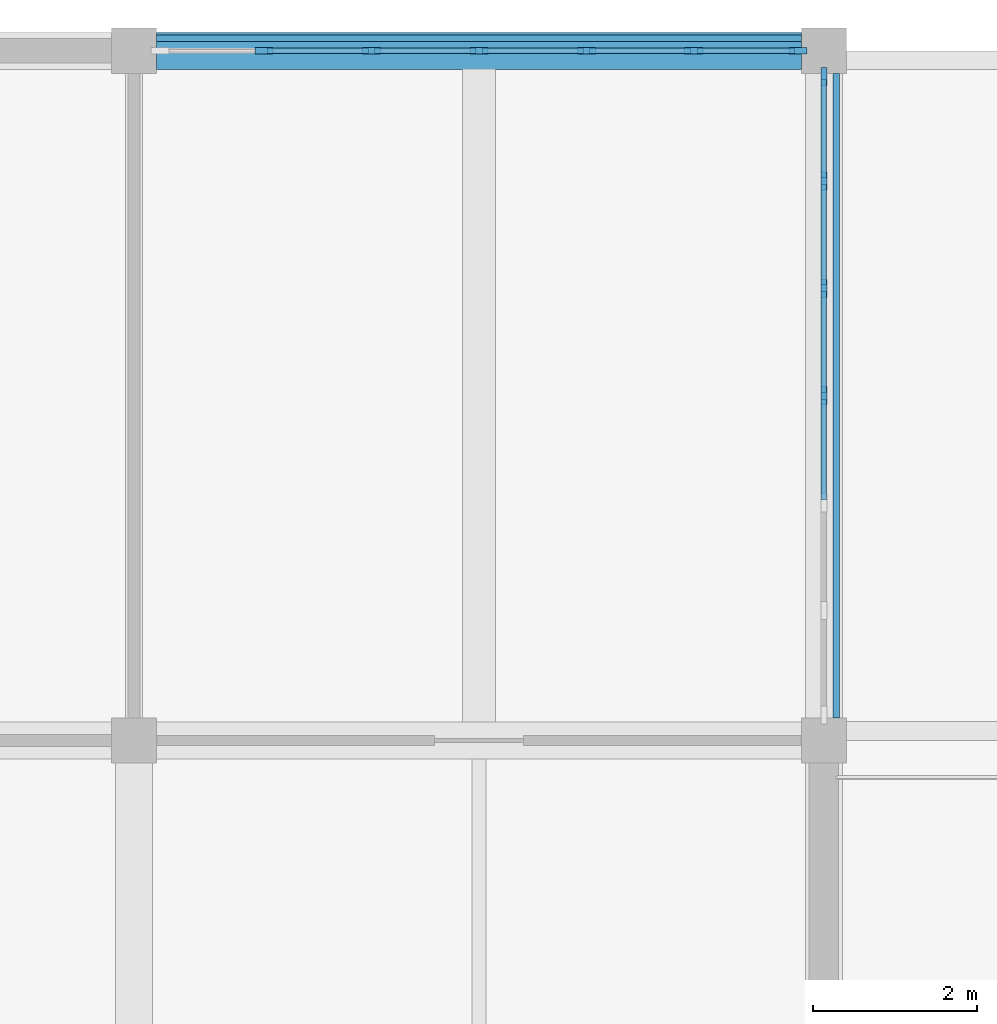
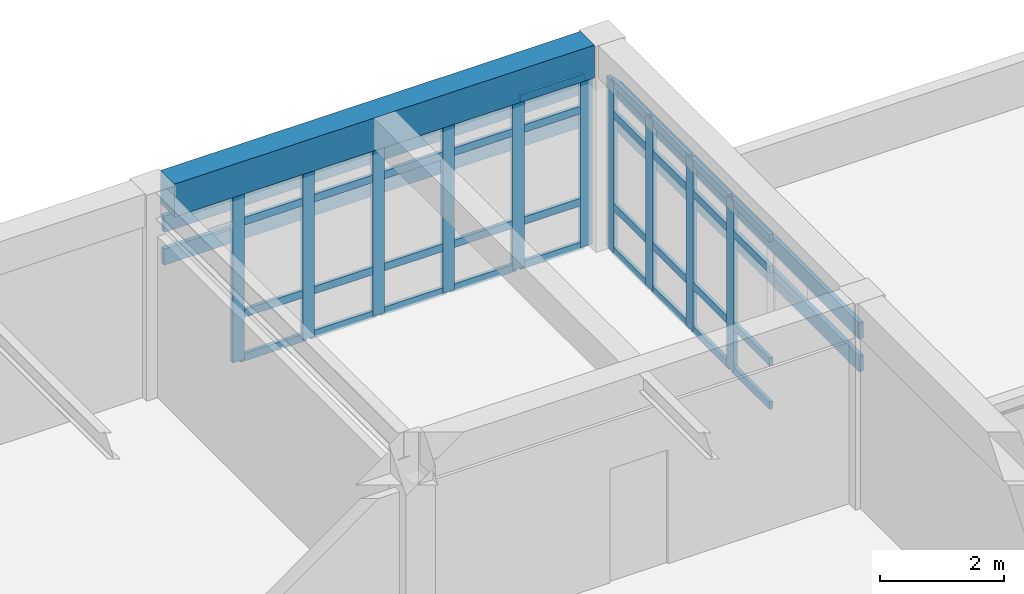
# One storey, part 46 of 74: 50 members, 1 beam, 2 elements without a shape of their own.
"""IFC4 building model written with IfcOpenShell, lengths in metres."""

import ifcopenshell
import ifcopenshell.guid

model = None  # the IFC model being written
_history = None  # IfcOwnerHistory: only IFC2X3 demands one
_inside = {}  # id of a spatial element -> (the spatial element, [elements in it])
_under = {}  # id of a project, library or spatial element -> (it, [spatial elements below it])
_declared = {}  # id of a project -> (the project, [libraries it declares])
_typed = {}  # id of a type object -> (the type object, [elements of that type])
_made_of = {}  # id of a material, layer set ... -> (it, [elements and type objects made of it])


def new_model(schema):
    """Start an empty IFC model of exactly this schema.

    Asked for "IFC4X3", IfcOpenShell would pick the latest addendum, in which some entities
    have other attributes; the version numbers below select the first issue.
    IFC2X3 requires an IfcOwnerHistory on every rooted entity: one is made here for all.
    """
    global model, _history
    if schema == "IFC4X3":
        model = ifcopenshell.file(schema_version=(4, 3, 0, 0))
    else:
        model = ifcopenshell.file(schema=schema)
    _inside.clear()
    _under.clear()
    _declared.clear()
    _typed.clear()
    _made_of.clear()
    _history = None
    if model.schema == "IFC2X3":
        org = make("IfcOrganization", Name="unknown")
        user = make(
            "IfcPersonAndOrganization",
            ThePerson=make("IfcPerson", FamilyName="unknown"),
            TheOrganization=org,
        )
        app = make(
            "IfcApplication",
            ApplicationDeveloper=org,
            Version="unknown",
            ApplicationFullName="unknown",
            ApplicationIdentifier="unknown",
        )
        _history = make(
            "IfcOwnerHistory",
            OwningUser=user,
            OwningApplication=app,
            ChangeAction="ADDED",
            CreationDate=0,
        )
    return model


def make(cls, **values):
    """One entity of the class cls with the attributes given. An attribute that is None is left unset."""
    return model.create_entity(
        cls, **{name: value for name, value in values.items() if value is not None}
    )


def rooted(cls, **values):
    """An entity with a GlobalId (a new one), such as an element, a storey or a relation."""
    return make(cls, GlobalId=ifcopenshell.guid.new(), OwnerHistory=_history, **values)


def si_unit(unit_type, name, prefix=None):
    """IfcSIUnit, for example si_unit("LENGTHUNIT", "METRE", prefix="MILLI")."""
    return make("IfcSIUnit", UnitType=unit_type, Prefix=prefix, Name=name)


def assignment(units):
    """IfcUnitAssignment: the units of a project."""
    return None if units is None else make("IfcUnitAssignment", Units=units)


def point(xyz):
    """IfcCartesianPoint."""
    return None if xyz is None else make("IfcCartesianPoint", Coordinates=xyz)


def direction(xyz):
    """IfcDirection."""
    return None if xyz is None else make("IfcDirection", DirectionRatios=xyz)


def frame(location, z_axis=None, x_axis=None):
    """IfcAxis2Placement3D, a coordinate frame: its origin and axes. An axis left out is left unset."""
    return make(
        "IfcAxis2Placement3D",
        Location=point(location),
        Axis=direction(z_axis),
        RefDirection=direction(x_axis),
    )


def frame_2d(location, x_axis=None):
    """IfcAxis2Placement2D, a coordinate frame in the plane: its origin and x axis."""
    return make(
        "IfcAxis2Placement2D", Location=point(location), RefDirection=direction(x_axis)
    )


def origin():
    """The frame at (0, 0, 0) with its axes left unset."""
    return frame((0.0, 0.0, 0.0))


def origin_2d():
    """The frame at (0, 0) in the plane with its x axis left unset."""
    return frame_2d((0.0, 0.0))


def place(relative_to, where):
    """IfcLocalPlacement: puts the frame where relative to a parent placement (None: the world)."""
    return make(
        "IfcLocalPlacement", PlacementRelTo=relative_to, RelativePlacement=where
    )


def context(
    kind, dimensions, precision=None, world=None, true_north=None, identifier=None
):
    """IfcGeometricRepresentationContext, for example the 3D "Model" context."""
    return make(
        "IfcGeometricRepresentationContext",
        ContextIdentifier=identifier,
        ContextType=kind,
        CoordinateSpaceDimension=dimensions,
        Precision=precision,
        WorldCoordinateSystem=world,
        TrueNorth=true_north,
    )


def subcontext(parent, identifier, kind, view, scale=None):
    """IfcGeometricRepresentationSubContext, for example "Body" below "Model"."""
    return make(
        "IfcGeometricRepresentationSubContext",
        ContextIdentifier=identifier,
        ContextType=kind,
        ParentContext=parent,
        TargetScale=scale,
        TargetView=view,
    )


def project(units=None, contexts=None):
    """IfcProject with its units and contexts."""
    return rooted(
        "IfcProject",
        Name="project",
        RepresentationContexts=contexts,
        UnitsInContext=assignment(units),
    )


def spatial(cls, under=None, at=None, **own):
    """A site, building, storey or space (cls), placed at a placement, below another one or the project."""
    s = rooted(cls, ObjectPlacement=at, **own)
    if under is not None:
        _under.setdefault(under.id(), (under, []))[1].append(s)
    return s


def profile(cls, at=None, kind="AREA", **sizes):
    """A parametric profile (cls). Its sizes go by their IFC names, for example OverallWidth=200.0."""
    return make(cls, ProfileType=kind, Position=at, **sizes)


def rectangle(**sizes):
    """IfcRectangleProfileDef."""
    return profile("IfcRectangleProfileDef", **sizes)


def extrude(swept, where, along, depth):
    """IfcExtrudedAreaSolid: the profile swept, set in the frame where, extruded along a direction by depth."""
    return make(
        "IfcExtrudedAreaSolid",
        SweptArea=swept,
        Position=where,
        ExtrudedDirection=direction(along),
        Depth=depth,
    )


def shape(context_of_items, identifier, shape_type, items):
    """IfcShapeRepresentation: the items that make up one representation, for example the "Body"."""
    return make(
        "IfcShapeRepresentation",
        ContextOfItems=context_of_items,
        RepresentationIdentifier=identifier,
        RepresentationType=shape_type,
        Items=items,
    )


def material(Name=None, Category=None):
    """IfcMaterial."""
    return make("IfcMaterial", Name=Name, Category=Category)


def layer(
    of_material, thickness, ventilated=None, Name=None, Category=None, Priority=None
):
    """IfcMaterialLayer: one layer of a wall or slab, of a material (None: an air gap)."""
    return make(
        "IfcMaterialLayer",
        Material=of_material,
        LayerThickness=thickness,
        IsVentilated=ventilated,
        Name=Name,
        Category=Category,
        Priority=Priority,
    )


def layer_set(layers, Name=None):
    """IfcMaterialLayerSet."""
    return make("IfcMaterialLayerSet", MaterialLayers=layers, LayerSetName=Name)


def material_profile(
    of_material, cross_section, Name=None, Category=None, Priority=None
):
    """IfcMaterialProfile: a cross section and its material."""
    return make(
        "IfcMaterialProfile",
        Name=Name,
        Material=of_material,
        Profile=cross_section,
        Priority=Priority,
        Category=Category,
    )


def profile_set(profiles, Name=None, composite=None):
    """IfcMaterialProfileSet."""
    return make(
        "IfcMaterialProfileSet",
        Name=Name,
        MaterialProfiles=profiles,
        CompositeProfile=composite,
    )


def made_of(thing, what):
    """Note that an element or type object is made of a material, layer set ...; save() writes the relation."""
    if what is not None:
        _made_of.setdefault(what.id(), (what, []))[1].append(thing)
    return thing


def type_object(cls, material=None, **own):
    """A type object (cls), such as IfcWallType, which elements share."""
    return made_of(rooted(cls, **own), material)


def element(
    cls,
    number,
    at=None,
    inside=None,
    cuts=None,
    type_object=None,
    material=None,
    context=None,
    identifier="Body",
    shape_type=None,
    held_by="IfcProductDefinitionShape",
    body=None,
    shapes=None,
    **own,
):
    """One element of the class cls, such as IfcWall. Its Tag is "e" and its number.

    at: its placement. inside: the storey or other place that contains it. cuts: it is an
    opening in that element (IfcRelVoidsElement). A single representation is given by context,
    identifier, shape_type and body (its items); several are given by shapes. held_by: the class
    of the entity that holds the representations. save() writes the other relations.
    """
    e = rooted(cls, Tag="e%d" % number, ObjectPlacement=at, **own)
    if body is not None:
        shapes = [shape(context, identifier, shape_type, body)]
    if shapes is not None:
        e.Representation = make(held_by, Representations=shapes)
    if inside is not None:
        _inside.setdefault(inside.id(), (inside, []))[1].append(e)
    if cuts is not None:
        rooted(
            "IfcRelVoidsElement", RelatingBuildingElement=cuts, RelatedOpeningElement=e
        )
    if type_object is not None:
        _typed.setdefault(type_object.id(), (type_object, []))[1].append(e)
    return made_of(e, material)


def aggregate(whole, parts):
    """IfcRelAggregates: a whole, such as a stair, and the parts it consists of."""
    return rooted("IfcRelAggregates", RelatingObject=whole, RelatedObjects=parts)


def save(model, path):
    """Write the relations noted so far, then the file.

    IfcRelAggregates (storeys below a building ...), IfcRelContainedInSpatialStructure (elements
    in a storey), IfcRelDefinesByType, IfcRelAssociatesMaterial and IfcRelDeclares: one each for
    every whole, place, type object, material and project.
    """
    for whole, parts in _under.values():
        aggregate(whole, parts)
    for where, things in _inside.values():
        rooted(
            "IfcRelContainedInSpatialStructure",
            RelatedElements=things,
            RelatingStructure=where,
        )
    for kind, things in _typed.values():
        rooted("IfcRelDefinesByType", RelatedObjects=things, RelatingType=kind)
    for what, things in _made_of.values():
        rooted("IfcRelAssociatesMaterial", RelatedObjects=things, RelatingMaterial=what)
    for by, libraries in _declared.values():
        rooted("IfcRelDeclares", RelatingContext=by, RelatedDefinitions=libraries)
    model.write(path)


model = new_model("IFC4")

# Units and contexts
model_context = context("Model", 3, precision=1e-05, world=origin(), true_north=direction((0.0, 1.0)))
body_context = subcontext(model_context, "Body", "Model", "MODEL_VIEW")
ifc_project = project(units=[si_unit("LENGTHUNIT", "METRE"), si_unit("AREAUNIT", "SQUARE_METRE"), si_unit("VOLUMEUNIT", "CUBIC_METRE"), si_unit("PLANEANGLEUNIT", "RADIAN"), si_unit("MASSUNIT", "GRAM", prefix="KILO")], contexts=[model_context])

# Site, building, storey
site_placement = place(None, origin())
site = spatial("IfcSite", under=ifc_project, at=site_placement, CompositionType="ELEMENT")
building_placement = place(site_placement, origin())
building = spatial("IfcBuilding", under=site, at=building_placement, Name="Porcellanite Civic Hall", CompositionType="ELEMENT")
storey_placement = place(building_placement, frame((0.0, 0.0, 14.760009765625)))
storey = spatial("IfcBuildingStorey", under=building, at=storey_placement, Name="L03", CompositionType="ELEMENT", Elevation=14.760009765625)

# Beam
ifc_material_1 = material(Name="Concrete N50 (50 MPa)", Category="concrete")
ifc_material_profile_1 = material_profile(ifc_material_1, rectangle(XDim=0.449951171875, YDim=0.64990234375, at=origin_2d()), Name="RC-450x650")
ifc_profile_set_1 = profile_set([ifc_material_profile_1], Name="Concrete N50 (50 MPa)")
beam_type = type_object("IfcBeamType", Name="BM-RC650", PredefinedType="SPANDREL", material=ifc_profile_set_1)
beam_placement = place(storey_placement, frame((143.074462890625, 117.60009765625, 3.744873046875), z_axis=(1.0, 0.0, 0.0), x_axis=(0.0, 1.0, 0.0)))
element("IfcBeam", 1, at=beam_placement, inside=storey, type_object=beam_type, Name="Beam X L03 18-15", PredefinedType="SPANDREL", context=body_context, shape_type="SweptSolid", body=[
    extrude(rectangle(XDim=0.449951171875, YDim=0.64990234375, at=origin_2d()), origin(), (0.0, 0.0, 1.0), 7.85107421875),
])

# Curtain wall, members
ifc_material_2 = material(Name="Anodised aluminium and solar laminated glass", Category="aluminium")
ifc_layer = layer(ifc_material_2, 0.179931640625)
ifc_layer_set = layer_set([ifc_layer], Name="Anodised aluminium and solar laminated glass")
curtain_wall_type = type_object("IfcCurtainWallType", Name="CW-SYS02", PredefinedType="NOTDEFINED", material=ifc_layer_set)
curtain_wall_1_placement = place(storey_placement, origin())
curtain_wall_1 = element("IfcCurtainWall", 2, at=curtain_wall_1_placement, inside=storey, type_object=curtain_wall_type, Name="Curtain wall CW-225", PredefinedType="NOTDEFINED")
ifc_material_3 = material(Name="Anodised aluminium 6063-T6", Category="aluminium")
ifc_material_profile_2 = material_profile(ifc_material_3, rectangle(XDim=0.074951171875, YDim=0.219970703125, at=origin_2d()), Name="AL-75x220")
ifc_profile_set_2 = profile_set([ifc_material_profile_2], Name="Anodised aluminium 6063-T6")
member_type_1 = type_object("IfcMemberType", Name="CWM-03", PredefinedType="MULLION", material=ifc_profile_set_2)
member_1_placement = place(storey_placement, frame((144.384033203125, 117.60009765625, 0.0), z_axis=(0.0, 0.0, 1.0), x_axis=(0.0, 1.0, 0.0)))
member_1 = element("IfcMember", 3, at=member_1_placement, type_object=member_type_1, Name="CW-225 mullion 2", PredefinedType="MULLION", context=body_context, shape_type="SweptSolid", body=[
    extrude(rectangle(XDim=0.074951171875, YDim=0.219970703125, at=origin_2d()), origin(), (0.0, 0.0, 1.0), 3.369873046875),
])
member_2_placement = place(storey_placement, frame((145.69189453125, 117.60009765625, 0.0), z_axis=(0.0, 0.0, 1.0), x_axis=(0.0, 1.0, 0.0)))
member_2 = element("IfcMember", 4, at=member_2_placement, type_object=member_type_1, Name="CW-225 mullion 3", PredefinedType="MULLION", context=body_context, shape_type="SweptSolid", body=[
    extrude(rectangle(XDim=0.074951171875, YDim=0.219970703125, at=origin_2d()), origin(), (0.0, 0.0, 1.0), 3.369873046875),
])
member_3_placement = place(storey_placement, frame((147.0, 117.60009765625, 0.0), z_axis=(0.0, 0.0, 1.0), x_axis=(0.0, 1.0, 0.0)))
member_3 = element("IfcMember", 5, at=member_3_placement, type_object=member_type_1, Name="CW-225 mullion 4", PredefinedType="MULLION", context=body_context, shape_type="SweptSolid", body=[
    extrude(rectangle(XDim=0.074951171875, YDim=0.219970703125, at=origin_2d()), origin(), (0.0, 0.0, 1.0), 3.369873046875),
])
member_4_placement = place(storey_placement, frame((148.30810546875, 117.60009765625, 0.0), z_axis=(0.0, 0.0, 1.0), x_axis=(0.0, 1.0, 0.0)))
member_4 = element("IfcMember", 6, at=member_4_placement, type_object=member_type_1, Name="CW-225 mullion 5", PredefinedType="MULLION", context=body_context, shape_type="SweptSolid", body=[
    extrude(rectangle(XDim=0.074951171875, YDim=0.219970703125, at=origin_2d()), origin(), (0.0, 0.0, 1.0), 3.369873046875),
])
member_5_placement = place(storey_placement, frame((149.615966796875, 117.60009765625, 0.0), z_axis=(0.0, 0.0, 1.0), x_axis=(0.0, 1.0, 0.0)))
member_5 = element("IfcMember", 7, at=member_5_placement, type_object=member_type_1, Name="CW-225 mullion 6", PredefinedType="MULLION", context=body_context, shape_type="SweptSolid", body=[
    extrude(rectangle(XDim=0.074951171875, YDim=0.219970703125, at=origin_2d()), origin(), (0.0, 0.0, 1.0), 3.369873046875),
])
member_6_placement = place(storey_placement, frame((150.886474609375, 117.60009765625, 0.0), z_axis=(0.0, 0.0, 1.0), x_axis=(0.0, 1.0, 0.0)))
member_6 = element("IfcMember", 8, at=member_6_placement, type_object=member_type_1, Name="CW-225 mullion 7", PredefinedType="MULLION", context=body_context, shape_type="SweptSolid", body=[
    extrude(rectangle(XDim=0.074951171875, YDim=0.219970703125, at=origin_2d()), origin(), (0.0, 0.0, 1.0), 3.369873046875),
])

curtain_wall_2_placement = place(storey_placement, origin())
curtain_wall_2 = element("IfcCurtainWall", 9, at=curtain_wall_2_placement, inside=storey, type_object=curtain_wall_type, Name="Curtain wall CW-226", PredefinedType="NOTDEFINED")
member_7_placement = place(storey_placement, frame((151.199951171875, 117.28662109375, 0.0), z_axis=(0.0, 0.0, 1.0), x_axis=(1.0, 0.0, 0.0)))
member_7 = element("IfcMember", 10, at=member_7_placement, type_object=member_type_1, Name="CW-226 mullion 1", PredefinedType="MULLION", context=body_context, shape_type="SweptSolid", body=[
    extrude(rectangle(XDim=0.074951171875, YDim=0.219970703125, at=origin_2d()), origin(), (0.0, 0.0, 1.0), 3.369873046875),
])
member_8_placement = place(storey_placement, frame((151.199951171875, 116.01611328125, 0.0), z_axis=(0.0, 0.0, 1.0), x_axis=(1.0, 0.0, 0.0)))
member_8 = element("IfcMember", 11, at=member_8_placement, type_object=member_type_1, Name="CW-226 mullion 2", PredefinedType="MULLION", context=body_context, shape_type="SweptSolid", body=[
    extrude(rectangle(XDim=0.074951171875, YDim=0.219970703125, at=origin_2d()), origin(), (0.0, 0.0, 1.0), 3.369873046875),
])
member_9_placement = place(storey_placement, frame((151.199951171875, 114.7080078125, 0.0), z_axis=(0.0, 0.0, 1.0), x_axis=(1.0, 0.0, 0.0)))
member_9 = element("IfcMember", 12, at=member_9_placement, type_object=member_type_1, Name="CW-226 mullion 3", PredefinedType="MULLION", context=body_context, shape_type="SweptSolid", body=[
    extrude(rectangle(XDim=0.074951171875, YDim=0.219970703125, at=origin_2d()), origin(), (0.0, 0.0, 1.0), 3.369873046875),
])
member_10_placement = place(storey_placement, frame((151.199951171875, 113.39990234375, 0.0), z_axis=(0.0, 0.0, 1.0), x_axis=(1.0, 0.0, 0.0)))
member_10 = element("IfcMember", 13, at=member_10_placement, type_object=member_type_1, Name="CW-226 mullion 4", PredefinedType="MULLION", context=body_context, shape_type="SweptSolid", body=[
    extrude(rectangle(XDim=0.074951171875, YDim=0.219970703125, at=origin_2d()), origin(), (0.0, 0.0, 1.0), 3.369873046875),
])

# Member
ifc_material_4 = material(Name="Anodised aluminium 6063-T6", Category="aluminium")
ifc_material_profile_3 = material_profile(ifc_material_4, rectangle(XDim=0.06494140625, YDim=0.14990234375, at=origin_2d()), Name="AL-65x150")
ifc_profile_set_3 = profile_set([ifc_material_profile_3], Name="Anodised aluminium 6063-T6")
member_type_2 = type_object("IfcMemberType", Name="CWT-02", PredefinedType="USERDEFINED", material=ifc_profile_set_3)
member_11_placement = place(storey_placement, frame((144.42138671875, 117.60009765625, 0.032470703125), z_axis=(1.0, 0.0, 0.0), x_axis=(0.0, 1.0, 0.0)))
member_11 = element("IfcMember", 14, at=member_11_placement, type_object=member_type_2, Name="CW-225 transom 2.1", ObjectType="TRANSOM", PredefinedType="USERDEFINED", context=body_context, shape_type="SweptSolid", body=[
    extrude(rectangle(XDim=0.06494140625, YDim=0.14990234375, at=origin_2d()), origin(), (0.0, 0.0, 1.0), 1.233154296875),
])

member_12_placement = place(storey_placement, frame((144.42138671875, 117.60009765625, 0.89990234375), z_axis=(1.0, 0.0, 0.0), x_axis=(0.0, 1.0, 0.0)))
member_12 = element("IfcMember", 15, at=member_12_placement, type_object=member_type_2, Name="CW-225 transom 2.2", ObjectType="TRANSOM", PredefinedType="USERDEFINED", context=body_context, shape_type="SweptSolid", body=[
    extrude(rectangle(XDim=0.06494140625, YDim=0.14990234375, at=origin_2d()), origin(), (0.0, 0.0, 1.0), 1.233154296875),
])

member_13_placement = place(storey_placement, frame((144.42138671875, 117.60009765625, 2.719970703125), z_axis=(1.0, 0.0, 0.0), x_axis=(0.0, 1.0, 0.0)))
member_13 = element("IfcMember", 16, at=member_13_placement, type_object=member_type_2, Name="CW-225 transom 2.3", ObjectType="TRANSOM", PredefinedType="USERDEFINED", context=body_context, shape_type="SweptSolid", body=[
    extrude(rectangle(XDim=0.06494140625, YDim=0.14990234375, at=origin_2d()), origin(), (0.0, 0.0, 1.0), 1.233154296875),
])

member_14_placement = place(storey_placement, frame((144.42138671875, 117.60009765625, 3.33740234375), z_axis=(1.0, 0.0, 0.0), x_axis=(0.0, 1.0, 0.0)))
member_14 = element("IfcMember", 17, at=member_14_placement, type_object=member_type_2, Name="CW-225 transom 2.4", ObjectType="TRANSOM", PredefinedType="USERDEFINED", context=body_context, shape_type="SweptSolid", body=[
    extrude(rectangle(XDim=0.06494140625, YDim=0.14990234375, at=origin_2d()), origin(), (0.0, 0.0, 1.0), 1.233154296875),
])

member_15_placement = place(storey_placement, frame((145.7294921875, 117.60009765625, 0.032470703125), z_axis=(1.0, 0.0, 0.0), x_axis=(0.0, 1.0, 0.0)))
member_15 = element("IfcMember", 18, at=member_15_placement, type_object=member_type_2, Name="CW-225 transom 3.1", ObjectType="TRANSOM", PredefinedType="USERDEFINED", context=body_context, shape_type="SweptSolid", body=[
    extrude(rectangle(XDim=0.06494140625, YDim=0.14990234375, at=origin_2d()), origin(), (0.0, 0.0, 1.0), 1.23291015625),
])

member_16_placement = place(storey_placement, frame((145.7294921875, 117.60009765625, 0.89990234375), z_axis=(1.0, 0.0, 0.0), x_axis=(0.0, 1.0, 0.0)))
member_16 = element("IfcMember", 19, at=member_16_placement, type_object=member_type_2, Name="CW-225 transom 3.2", ObjectType="TRANSOM", PredefinedType="USERDEFINED", context=body_context, shape_type="SweptSolid", body=[
    extrude(rectangle(XDim=0.06494140625, YDim=0.14990234375, at=origin_2d()), origin(), (0.0, 0.0, 1.0), 1.23291015625),
])

member_17_placement = place(storey_placement, frame((145.7294921875, 117.60009765625, 2.719970703125), z_axis=(1.0, 0.0, 0.0), x_axis=(0.0, 1.0, 0.0)))
member_17 = element("IfcMember", 20, at=member_17_placement, type_object=member_type_2, Name="CW-225 transom 3.3", ObjectType="TRANSOM", PredefinedType="USERDEFINED", context=body_context, shape_type="SweptSolid", body=[
    extrude(rectangle(XDim=0.06494140625, YDim=0.14990234375, at=origin_2d()), origin(), (0.0, 0.0, 1.0), 1.23291015625),
])

member_18_placement = place(storey_placement, frame((145.7294921875, 117.60009765625, 3.33740234375), z_axis=(1.0, 0.0, 0.0), x_axis=(0.0, 1.0, 0.0)))
member_18 = element("IfcMember", 21, at=member_18_placement, type_object=member_type_2, Name="CW-225 transom 3.4", ObjectType="TRANSOM", PredefinedType="USERDEFINED", context=body_context, shape_type="SweptSolid", body=[
    extrude(rectangle(XDim=0.06494140625, YDim=0.14990234375, at=origin_2d()), origin(), (0.0, 0.0, 1.0), 1.23291015625),
])

member_19_placement = place(storey_placement, frame((147.03759765625, 117.60009765625, 0.032470703125), z_axis=(1.0, 0.0, 0.0), x_axis=(0.0, 1.0, 0.0)))
member_19 = element("IfcMember", 22, at=member_19_placement, type_object=member_type_2, Name="CW-225 transom 4.1", ObjectType="TRANSOM", PredefinedType="USERDEFINED", context=body_context, shape_type="SweptSolid", body=[
    extrude(rectangle(XDim=0.06494140625, YDim=0.14990234375, at=origin_2d()), origin(), (0.0, 0.0, 1.0), 1.23291015625),
])

member_20_placement = place(storey_placement, frame((147.03759765625, 117.60009765625, 0.89990234375), z_axis=(1.0, 0.0, 0.0), x_axis=(0.0, 1.0, 0.0)))
member_20 = element("IfcMember", 23, at=member_20_placement, type_object=member_type_2, Name="CW-225 transom 4.2", ObjectType="TRANSOM", PredefinedType="USERDEFINED", context=body_context, shape_type="SweptSolid", body=[
    extrude(rectangle(XDim=0.06494140625, YDim=0.14990234375, at=origin_2d()), origin(), (0.0, 0.0, 1.0), 1.23291015625),
])

member_21_placement = place(storey_placement, frame((147.03759765625, 117.60009765625, 2.719970703125), z_axis=(1.0, 0.0, 0.0), x_axis=(0.0, 1.0, 0.0)))
member_21 = element("IfcMember", 24, at=member_21_placement, type_object=member_type_2, Name="CW-225 transom 4.3", ObjectType="TRANSOM", PredefinedType="USERDEFINED", context=body_context, shape_type="SweptSolid", body=[
    extrude(rectangle(XDim=0.06494140625, YDim=0.14990234375, at=origin_2d()), origin(), (0.0, 0.0, 1.0), 1.23291015625),
])

member_22_placement = place(storey_placement, frame((147.03759765625, 117.60009765625, 3.33740234375), z_axis=(1.0, 0.0, 0.0), x_axis=(0.0, 1.0, 0.0)))
member_22 = element("IfcMember", 25, at=member_22_placement, type_object=member_type_2, Name="CW-225 transom 4.4", ObjectType="TRANSOM", PredefinedType="USERDEFINED", context=body_context, shape_type="SweptSolid", body=[
    extrude(rectangle(XDim=0.06494140625, YDim=0.14990234375, at=origin_2d()), origin(), (0.0, 0.0, 1.0), 1.23291015625),
])

member_23_placement = place(storey_placement, frame((148.345458984375, 117.60009765625, 0.032470703125), z_axis=(1.0, 0.0, 0.0), x_axis=(0.0, 1.0, 0.0)))
member_23 = element("IfcMember", 26, at=member_23_placement, type_object=member_type_2, Name="CW-225 transom 5.1", ObjectType="TRANSOM", PredefinedType="USERDEFINED", context=body_context, shape_type="SweptSolid", body=[
    extrude(rectangle(XDim=0.06494140625, YDim=0.14990234375, at=origin_2d()), origin(), (0.0, 0.0, 1.0), 1.233154296875),
])

member_24_placement = place(storey_placement, frame((148.345458984375, 117.60009765625, 0.89990234375), z_axis=(1.0, 0.0, 0.0), x_axis=(0.0, 1.0, 0.0)))
member_24 = element("IfcMember", 27, at=member_24_placement, type_object=member_type_2, Name="CW-225 transom 5.2", ObjectType="TRANSOM", PredefinedType="USERDEFINED", context=body_context, shape_type="SweptSolid", body=[
    extrude(rectangle(XDim=0.06494140625, YDim=0.14990234375, at=origin_2d()), origin(), (0.0, 0.0, 1.0), 1.233154296875),
])

member_25_placement = place(storey_placement, frame((148.345458984375, 117.60009765625, 2.719970703125), z_axis=(1.0, 0.0, 0.0), x_axis=(0.0, 1.0, 0.0)))
member_25 = element("IfcMember", 28, at=member_25_placement, type_object=member_type_2, Name="CW-225 transom 5.3", ObjectType="TRANSOM", PredefinedType="USERDEFINED", context=body_context, shape_type="SweptSolid", body=[
    extrude(rectangle(XDim=0.06494140625, YDim=0.14990234375, at=origin_2d()), origin(), (0.0, 0.0, 1.0), 1.233154296875),
])

member_26_placement = place(storey_placement, frame((148.345458984375, 117.60009765625, 3.33740234375), z_axis=(1.0, 0.0, 0.0), x_axis=(0.0, 1.0, 0.0)))
member_26 = element("IfcMember", 29, at=member_26_placement, type_object=member_type_2, Name="CW-225 transom 5.4", ObjectType="TRANSOM", PredefinedType="USERDEFINED", context=body_context, shape_type="SweptSolid", body=[
    extrude(rectangle(XDim=0.06494140625, YDim=0.14990234375, at=origin_2d()), origin(), (0.0, 0.0, 1.0), 1.233154296875),
])

member_27_placement = place(storey_placement, frame((149.653564453125, 117.60009765625, 0.032470703125), z_axis=(1.0, 0.0, 0.0), x_axis=(0.0, 1.0, 0.0)))
member_27 = element("IfcMember", 30, at=member_27_placement, type_object=member_type_2, Name="CW-225 transom 6.1", ObjectType="TRANSOM", PredefinedType="USERDEFINED", context=body_context, shape_type="SweptSolid", body=[
    extrude(rectangle(XDim=0.06494140625, YDim=0.14990234375, at=origin_2d()), origin(), (0.0, 0.0, 1.0), 1.195556640625),
])

member_28_placement = place(storey_placement, frame((149.653564453125, 117.60009765625, 0.89990234375), z_axis=(1.0, 0.0, 0.0), x_axis=(0.0, 1.0, 0.0)))
member_28 = element("IfcMember", 31, at=member_28_placement, type_object=member_type_2, Name="CW-225 transom 6.2", ObjectType="TRANSOM", PredefinedType="USERDEFINED", context=body_context, shape_type="SweptSolid", body=[
    extrude(rectangle(XDim=0.06494140625, YDim=0.14990234375, at=origin_2d()), origin(), (0.0, 0.0, 1.0), 1.195556640625),
])

member_29_placement = place(storey_placement, frame((149.653564453125, 117.60009765625, 2.719970703125), z_axis=(1.0, 0.0, 0.0), x_axis=(0.0, 1.0, 0.0)))
member_29 = element("IfcMember", 32, at=member_29_placement, type_object=member_type_2, Name="CW-225 transom 6.3", ObjectType="TRANSOM", PredefinedType="USERDEFINED", context=body_context, shape_type="SweptSolid", body=[
    extrude(rectangle(XDim=0.06494140625, YDim=0.14990234375, at=origin_2d()), origin(), (0.0, 0.0, 1.0), 1.195556640625),
])

member_30_placement = place(storey_placement, frame((149.653564453125, 117.60009765625, 3.33740234375), z_axis=(1.0, 0.0, 0.0), x_axis=(0.0, 1.0, 0.0)))
member_30 = element("IfcMember", 33, at=member_30_placement, type_object=member_type_2, Name="CW-225 transom 6.4", ObjectType="TRANSOM", PredefinedType="USERDEFINED", context=body_context, shape_type="SweptSolid", body=[
    extrude(rectangle(XDim=0.06494140625, YDim=0.14990234375, at=origin_2d()), origin(), (0.0, 0.0, 1.0), 1.195556640625),
])

aggregate(curtain_wall_1, [member_1, member_2, member_3, member_4, member_5, member_6, member_11, member_12, member_13, member_14, member_15, member_16, member_17, member_18, member_19, member_20, member_21, member_22, member_23, member_24, member_25, member_26, member_27, member_28, member_29, member_30])

member_31_placement = place(storey_placement, frame((151.199951171875, 117.2490234375, 0.032470703125), z_axis=(0.0, -1.0, 0.0), x_axis=(1.0, 0.0, 0.0)))
member_31 = element("IfcMember", 34, at=member_31_placement, type_object=member_type_2, Name="CW-226 transom 1.1", ObjectType="TRANSOM", PredefinedType="USERDEFINED", context=body_context, shape_type="SweptSolid", body=[
    extrude(rectangle(XDim=0.06494140625, YDim=0.14990234375, at=origin_2d()), origin(), (0.0, 0.0, 1.0), 1.195556640625),
])

member_32_placement = place(storey_placement, frame((151.199951171875, 117.2490234375, 0.89990234375), z_axis=(0.0, -1.0, 0.0), x_axis=(1.0, 0.0, 0.0)))
member_32 = element("IfcMember", 35, at=member_32_placement, type_object=member_type_2, Name="CW-226 transom 1.2", ObjectType="TRANSOM", PredefinedType="USERDEFINED", context=body_context, shape_type="SweptSolid", body=[
    extrude(rectangle(XDim=0.06494140625, YDim=0.14990234375, at=origin_2d()), origin(), (0.0, 0.0, 1.0), 1.195556640625),
])

member_33_placement = place(storey_placement, frame((151.199951171875, 117.2490234375, 2.719970703125), z_axis=(0.0, -1.0, 0.0), x_axis=(1.0, 0.0, 0.0)))
member_33 = element("IfcMember", 36, at=member_33_placement, type_object=member_type_2, Name="CW-226 transom 1.3", ObjectType="TRANSOM", PredefinedType="USERDEFINED", context=body_context, shape_type="SweptSolid", body=[
    extrude(rectangle(XDim=0.06494140625, YDim=0.14990234375, at=origin_2d()), origin(), (0.0, 0.0, 1.0), 1.195556640625),
])

member_34_placement = place(storey_placement, frame((151.199951171875, 117.2490234375, 3.33740234375), z_axis=(0.0, -1.0, 0.0), x_axis=(1.0, 0.0, 0.0)))
member_34 = element("IfcMember", 37, at=member_34_placement, type_object=member_type_2, Name="CW-226 transom 1.4", ObjectType="TRANSOM", PredefinedType="USERDEFINED", context=body_context, shape_type="SweptSolid", body=[
    extrude(rectangle(XDim=0.06494140625, YDim=0.14990234375, at=origin_2d()), origin(), (0.0, 0.0, 1.0), 1.195556640625),
])

member_35_placement = place(storey_placement, frame((151.199951171875, 115.978515625, 0.032470703125), z_axis=(0.0, -1.0, 0.0), x_axis=(1.0, 0.0, 0.0)))
member_35 = element("IfcMember", 38, at=member_35_placement, type_object=member_type_2, Name="CW-226 transom 2.1", ObjectType="TRANSOM", PredefinedType="USERDEFINED", context=body_context, shape_type="SweptSolid", body=[
    extrude(rectangle(XDim=0.06494140625, YDim=0.14990234375, at=origin_2d()), origin(), (0.0, 0.0, 1.0), 1.23291015625),
])

member_36_placement = place(storey_placement, frame((151.199951171875, 115.978515625, 0.89990234375), z_axis=(0.0, -1.0, 0.0), x_axis=(1.0, 0.0, 0.0)))
member_36 = element("IfcMember", 39, at=member_36_placement, type_object=member_type_2, Name="CW-226 transom 2.2", ObjectType="TRANSOM", PredefinedType="USERDEFINED", context=body_context, shape_type="SweptSolid", body=[
    extrude(rectangle(XDim=0.06494140625, YDim=0.14990234375, at=origin_2d()), origin(), (0.0, 0.0, 1.0), 1.23291015625),
])

member_37_placement = place(storey_placement, frame((151.199951171875, 115.978515625, 2.719970703125), z_axis=(0.0, -1.0, 0.0), x_axis=(1.0, 0.0, 0.0)))
member_37 = element("IfcMember", 40, at=member_37_placement, type_object=member_type_2, Name="CW-226 transom 2.3", ObjectType="TRANSOM", PredefinedType="USERDEFINED", context=body_context, shape_type="SweptSolid", body=[
    extrude(rectangle(XDim=0.06494140625, YDim=0.14990234375, at=origin_2d()), origin(), (0.0, 0.0, 1.0), 1.23291015625),
])

member_38_placement = place(storey_placement, frame((151.199951171875, 115.978515625, 3.33740234375), z_axis=(0.0, -1.0, 0.0), x_axis=(1.0, 0.0, 0.0)))
member_38 = element("IfcMember", 41, at=member_38_placement, type_object=member_type_2, Name="CW-226 transom 2.4", ObjectType="TRANSOM", PredefinedType="USERDEFINED", context=body_context, shape_type="SweptSolid", body=[
    extrude(rectangle(XDim=0.06494140625, YDim=0.14990234375, at=origin_2d()), origin(), (0.0, 0.0, 1.0), 1.23291015625),
])

member_39_placement = place(storey_placement, frame((151.199951171875, 114.67041015625, 0.032470703125), z_axis=(0.0, -1.0, 0.0), x_axis=(1.0, 0.0, 0.0)))
member_39 = element("IfcMember", 42, at=member_39_placement, type_object=member_type_2, Name="CW-226 transom 3.1", ObjectType="TRANSOM", PredefinedType="USERDEFINED", context=body_context, shape_type="SweptSolid", body=[
    extrude(rectangle(XDim=0.06494140625, YDim=0.14990234375, at=origin_2d()), origin(), (0.0, 0.0, 1.0), 1.23291015625),
])

member_40_placement = place(storey_placement, frame((151.199951171875, 114.67041015625, 0.89990234375), z_axis=(0.0, -1.0, 0.0), x_axis=(1.0, 0.0, 0.0)))
member_40 = element("IfcMember", 43, at=member_40_placement, type_object=member_type_2, Name="CW-226 transom 3.2", ObjectType="TRANSOM", PredefinedType="USERDEFINED", context=body_context, shape_type="SweptSolid", body=[
    extrude(rectangle(XDim=0.06494140625, YDim=0.14990234375, at=origin_2d()), origin(), (0.0, 0.0, 1.0), 1.23291015625),
])

member_41_placement = place(storey_placement, frame((151.199951171875, 114.67041015625, 2.719970703125), z_axis=(0.0, -1.0, 0.0), x_axis=(1.0, 0.0, 0.0)))
member_41 = element("IfcMember", 44, at=member_41_placement, type_object=member_type_2, Name="CW-226 transom 3.3", ObjectType="TRANSOM", PredefinedType="USERDEFINED", context=body_context, shape_type="SweptSolid", body=[
    extrude(rectangle(XDim=0.06494140625, YDim=0.14990234375, at=origin_2d()), origin(), (0.0, 0.0, 1.0), 1.23291015625),
])

member_42_placement = place(storey_placement, frame((151.199951171875, 114.67041015625, 3.33740234375), z_axis=(0.0, -1.0, 0.0), x_axis=(1.0, 0.0, 0.0)))
member_42 = element("IfcMember", 45, at=member_42_placement, type_object=member_type_2, Name="CW-226 transom 3.4", ObjectType="TRANSOM", PredefinedType="USERDEFINED", context=body_context, shape_type="SweptSolid", body=[
    extrude(rectangle(XDim=0.06494140625, YDim=0.14990234375, at=origin_2d()), origin(), (0.0, 0.0, 1.0), 1.23291015625),
])

member_43_placement = place(storey_placement, frame((151.199951171875, 113.362548828125, 0.032470703125), z_axis=(0.0, -1.0, 0.0), x_axis=(1.0, 0.0, 0.0)))
member_43 = element("IfcMember", 46, at=member_43_placement, type_object=member_type_2, Name="CW-226 transom 4.1", ObjectType="TRANSOM", PredefinedType="USERDEFINED", context=body_context, shape_type="SweptSolid", body=[
    extrude(rectangle(XDim=0.06494140625, YDim=0.14990234375, at=origin_2d()), origin(), (0.0, 0.0, 1.0), 1.233154296875),
])

member_44_placement = place(storey_placement, frame((151.199951171875, 113.362548828125, 0.89990234375), z_axis=(0.0, -1.0, 0.0), x_axis=(1.0, 0.0, 0.0)))
member_44 = element("IfcMember", 47, at=member_44_placement, type_object=member_type_2, Name="CW-226 transom 4.2", ObjectType="TRANSOM", PredefinedType="USERDEFINED", context=body_context, shape_type="SweptSolid", body=[
    extrude(rectangle(XDim=0.06494140625, YDim=0.14990234375, at=origin_2d()), origin(), (0.0, 0.0, 1.0), 1.233154296875),
])

member_45_placement = place(storey_placement, frame((151.199951171875, 113.362548828125, 2.719970703125), z_axis=(0.0, -1.0, 0.0), x_axis=(1.0, 0.0, 0.0)))
member_45 = element("IfcMember", 48, at=member_45_placement, type_object=member_type_2, Name="CW-226 transom 4.3", ObjectType="TRANSOM", PredefinedType="USERDEFINED", context=body_context, shape_type="SweptSolid", body=[
    extrude(rectangle(XDim=0.06494140625, YDim=0.14990234375, at=origin_2d()), origin(), (0.0, 0.0, 1.0), 1.233154296875),
])

member_46_placement = place(storey_placement, frame((151.199951171875, 113.362548828125, 3.33740234375), z_axis=(0.0, -1.0, 0.0), x_axis=(1.0, 0.0, 0.0)))
member_46 = element("IfcMember", 49, at=member_46_placement, type_object=member_type_2, Name="CW-226 transom 4.4", ObjectType="TRANSOM", PredefinedType="USERDEFINED", context=body_context, shape_type="SweptSolid", body=[
    extrude(rectangle(XDim=0.06494140625, YDim=0.14990234375, at=origin_2d()), origin(), (0.0, 0.0, 1.0), 1.233154296875),
])

aggregate(curtain_wall_2, [member_7, member_8, member_9, member_10, member_31, member_32, member_33, member_34, member_35, member_36, member_37, member_38, member_39, member_40, member_41, member_42, member_43, member_44, member_45, member_46])

# Members
ifc_material_5 = material(Name="Fluoropolymer bauxite-red aluminium 6063-T6", Category="aluminium")
ifc_material_profile_4 = material_profile(ifc_material_5, rectangle(XDim=0.080078125, YDim=0.320068359375, at=origin_2d()), Name="AL-80x320")
ifc_profile_set_4 = profile_set([ifc_material_profile_4], Name="Fluoropolymer bauxite-red aluminium 6063-T6")
member_type_3 = type_object("IfcMemberType", Name="LV-BLD03", PredefinedType="USERDEFINED", material=ifc_profile_set_4)
for number, where, z_axis, x_axis, name in (
    (50, (143.074462890625, 117.751953125, 3.070068359375), (1.0, 0.0, 0.0), (0.0, 1.0, 0.0), "Cyclone sunshade louvre L03 N 17-13 1"),
    (51, (143.074462890625, 117.751953125, 2.419921875), (1.0, 0.0, 0.0), (0.0, 1.0, 0.0), "Cyclone sunshade louvre L03 N 17-13 2"),
):
    element("IfcMember", number, at=place(storey_placement, frame(where, z_axis=z_axis, x_axis=x_axis)), inside=storey, type_object=member_type_3, Name=name, ObjectType="LOUVRE BLADE", PredefinedType="USERDEFINED", context=body_context, shape_type="SweptSolid", body=[
        extrude(rectangle(XDim=0.080078125, YDim=0.320068359375, at=origin_2d()), origin(), (0.0, 0.0, 1.0), 7.85107421875),
    ])
for number, where, z_axis, x_axis, name in (
    (52, (151.35205078125, 117.325439453125, 3.070068359375), (0.0, -1.0, 0.0), (1.0, 0.0, 0.0), "Cyclone sunshade louvre L03 E 17-13 1"),
    (53, (151.35205078125, 117.325439453125, 2.419921875), (0.0, -1.0, 0.0), (1.0, 0.0, 0.0), "Cyclone sunshade louvre L03 E 17-13 2"),
):
    element("IfcMember", number, at=place(storey_placement, frame(where, z_axis=z_axis, x_axis=x_axis)), inside=storey, type_object=member_type_3, Name=name, ObjectType="LOUVRE BLADE", PredefinedType="USERDEFINED", context=body_context, shape_type="SweptSolid", body=[
        extrude(rectangle(XDim=0.080078125, YDim=0.320068359375, at=origin_2d()), origin(), (0.0, 0.0, 1.0), 7.850830078125),
    ])

save(model, "model.ifc")
